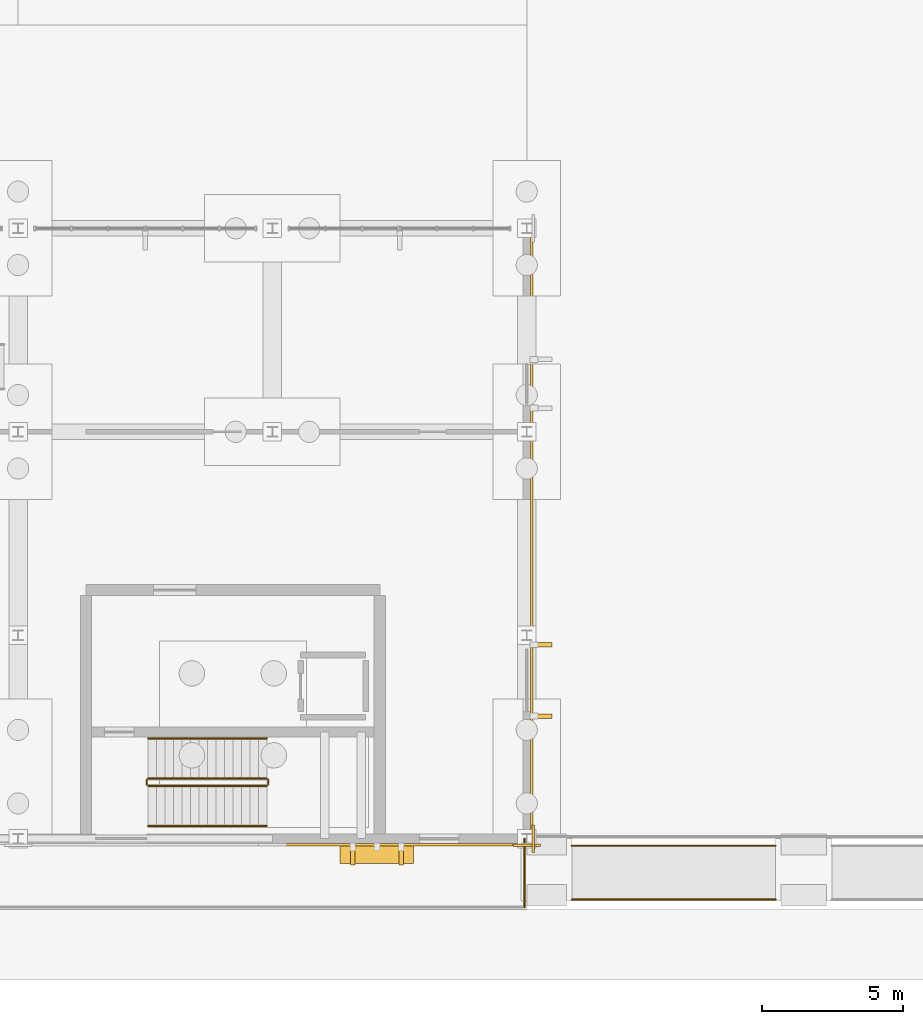
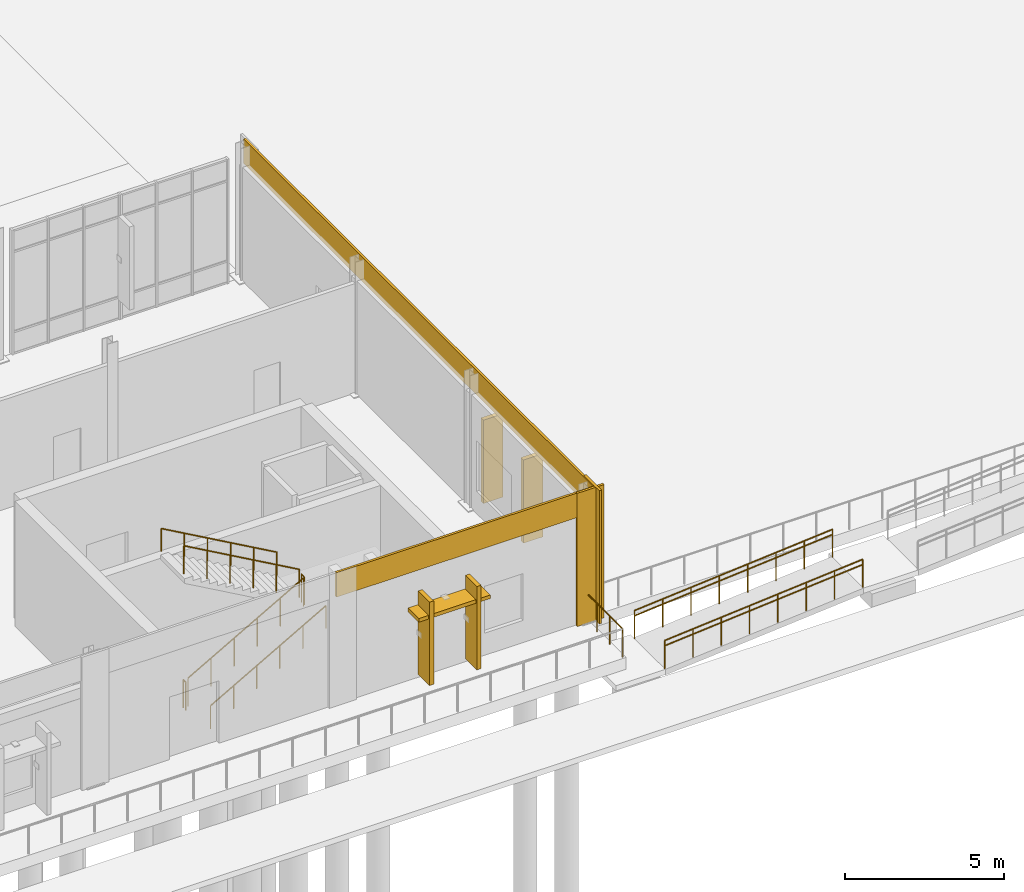
# One storey, part 84 of 94: 11 railings, 5 shading devices, 4 coverings.
"""IFC4 building model written with IfcOpenShell, lengths in metres."""

from ifc_helpers import new_model, si_unit, direction, frame, origin, origin_2d, place, context, subcontext, project, spatial, rectangle, circle, extrude, material, layer, layer_set, type_object, element, save


model = new_model("IFC4")

# Units and contexts
model_context = context("Model", 3, precision=1e-05, world=origin(), true_north=direction((0.0, 1.0)))
body_context = subcontext(model_context, "Body", "Model", "MODEL_VIEW")
ifc_project = project(units=[si_unit("LENGTHUNIT", "METRE"), si_unit("AREAUNIT", "SQUARE_METRE"), si_unit("VOLUMEUNIT", "CUBIC_METRE"), si_unit("PLANEANGLEUNIT", "RADIAN"), si_unit("MASSUNIT", "GRAM", prefix="KILO")], contexts=[model_context])

# Site, building, storey
site_placement = place(None, origin())
site = spatial("IfcSite", under=ifc_project, at=site_placement, CompositionType="ELEMENT")
building_placement = place(site_placement, origin())
building = spatial("IfcBuilding", under=site, at=building_placement, Name="Vervanel Yard Central Library", CompositionType="ELEMENT")
storey_placement = place(building_placement, origin())
storey = spatial("IfcBuildingStorey", under=building, at=storey_placement, Name="L00", CompositionType="ELEMENT", Elevation=0.0)

# Railings
ifc_material_1 = material(Name="Brushed stainless steel AISI 316", Category="steel")
railing_type_1 = type_object("IfcRailingType", Name="Brushed Stainless Stair Handrail 900", PredefinedType="HANDRAIL", material=ifc_material_1)
railing_1_placement = place(storey_placement, frame((94.60009765625, 0.449951171875, 0.169921875)))
element("IfcRailing", 1, at=railing_1_placement, inside=storey, type_object=railing_type_1, Name="L00 ST-06 stair handrail 1", PredefinedType="HANDRAIL", context=body_context, shape_type="SweptSolid", body=[
    extrude(circle(Radius=0.02392578125, at=origin_2d()), frame((0.0, 0.0, 0.8759765625), z_axis=(0.870008446991, 0.0, 0.493036816236), x_axis=(0.0, 1.0, 0.0)), (0.0, 0.0, 1.0), 4.827392578125),
    extrude(circle(Radius=0.02099609375, at=origin_2d()), origin(), (0.0, 0.0, 1.0), 0.851806640625),
    extrude(circle(Radius=0.02099609375, at=origin_2d()), frame((0.840087890625, 0.0, 0.47607421875)), (0.0, 0.0, 1.0), 0.851806640625),
    extrude(circle(Radius=0.02099609375, at=origin_2d()), frame((1.679931640625, 0.0, 0.9521484375)), (0.0, 0.0, 1.0), 0.851806640625),
    extrude(circle(Radius=0.02099609375, at=origin_2d()), frame((2.52001953125, 0.0, 1.427978515625)), (0.0, 0.0, 1.0), 0.851806640625),
    extrude(circle(Radius=0.02099609375, at=origin_2d()), frame((3.35986328125, 0.0, 1.904052734375)), (0.0, 0.0, 1.0), 0.851806640625),
    extrude(circle(Radius=0.02099609375, at=origin_2d()), frame((4.199951171875, 0.0, 2.380126953125)), (0.0, 0.0, 1.0), 0.851806640625),
])
railing_2_placement = place(storey_placement, frame((98.800048828125, 3.550048828125, 2.719970703125)))
element("IfcRailing", 2, at=railing_2_placement, inside=storey, type_object=railing_type_1, Name="L00 ST-06 stair handrail 2", PredefinedType="HANDRAIL", context=body_context, shape_type="SweptSolid", body=[
    extrude(circle(Radius=0.02392578125, at=origin_2d()), frame((0.0, 0.0, 0.8759765625), z_axis=(-0.870008446991, 0.0, 0.493036816236), x_axis=(0.0, -1.0, 0.0)), (0.0, 0.0, 1.0), 4.827392578125),
    extrude(circle(Radius=0.02099609375, at=origin_2d()), origin(), (0.0, 0.0, 1.0), 0.851806640625),
    extrude(circle(Radius=0.02099609375, at=origin_2d()), frame((-0.840087890625, 0.0, 0.47607421875)), (0.0, 0.0, 1.0), 0.851806640625),
    extrude(circle(Radius=0.02099609375, at=origin_2d()), frame((-1.679931640625, 0.0, 0.9521484375)), (0.0, 0.0, 1.0), 0.851806640625),
    extrude(circle(Radius=0.02099609375, at=origin_2d()), frame((-2.52001953125, 0.0, 1.427978515625)), (0.0, 0.0, 1.0), 0.851806640625),
    extrude(circle(Radius=0.02099609375, at=origin_2d()), frame((-3.35986328125, 0.0, 1.904052734375)), (0.0, 0.0, 1.0), 0.851806640625),
    extrude(circle(Radius=0.02099609375, at=origin_2d()), frame((-4.199951171875, 0.0, 2.380126953125)), (0.0, 0.0, 1.0), 0.851806640625),
])
for number, where, name in (
    (3, (109.60009765625, -0.25, -1.199951171875), "RAMP-01-F1 Handrail L"),
    (4, (109.60009765625, -2.14990234375, -1.199951171875), "RAMP-01-F1 Handrail R"),
):
    element("IfcRailing", number, at=place(storey_placement, frame(where)), inside=storey, type_object=railing_type_1, Name=name, PredefinedType="HANDRAIL", context=body_context, shape_type="SweptSolid", body=[
        extrude(circle(Radius=0.02392578125, at=origin_2d()), frame((0.0, 0.0, 0.8759765625), z_axis=(0.99654738937, 0.0, 0.083025904028), x_axis=(0.0, 1.0, 0.0)), (0.0, 0.0, 1.0), 7.224853515625),
        extrude(circle(Radius=0.02099609375, at=origin_2d()), origin(), (0.0, 0.0, 1.0), 0.851806640625),
        extrude(circle(Radius=0.02099609375, at=origin_2d()), frame((1.028564453125, 0.0, 0.085693359375)), (0.0, 0.0, 1.0), 0.851806640625),
        extrude(circle(Radius=0.02099609375, at=origin_2d()), frame((2.05712890625, 0.0, 0.17138671875)), (0.0, 0.0, 1.0), 0.851806640625),
        extrude(circle(Radius=0.02099609375, at=origin_2d()), frame((3.085693359375, 0.0, 0.257080078125)), (0.0, 0.0, 1.0), 0.851806640625),
        extrude(circle(Radius=0.02099609375, at=origin_2d()), frame((4.1142578125, 0.0, 0.3427734375)), (0.0, 0.0, 1.0), 0.851806640625),
        extrude(circle(Radius=0.02099609375, at=origin_2d()), frame((5.142822265625, 0.0, 0.428466796875)), (0.0, 0.0, 1.0), 0.851806640625),
        extrude(circle(Radius=0.02099609375, at=origin_2d()), frame((6.17138671875, 0.0, 0.51416015625)), (0.0, 0.0, 1.0), 0.851806640625),
        extrude(circle(Radius=0.02099609375, at=origin_2d()), frame((7.199951171875, 0.0, 0.599853515625)), (0.0, 0.0, 1.0), 0.851806640625),
    ])

# Coverings
ifc_material_2 = material(Name="Precast concrete C45/55", Category="concrete")
ifc_layer = layer(ifc_material_2, 0.0849609375, Category="concrete")
ifc_layer_set = layer_set([ifc_layer], Name="Precast concrete C45/55")
covering_type = type_object("IfcCoveringType", Name="Bush-Hammered Precast Architectural Cladding Panel", PredefinedType="CLADDING", material=ifc_layer_set)
covering_1_placement = place(storey_placement, frame((103.5, -0.2099609375, 4.179931640625), z_axis=(0.0, 0.0, 1.0), x_axis=(1.0, 0.0, 0.0)))
element("IfcCovering", 5, at=covering_1_placement, inside=storey, type_object=covering_type, Name="L00 Precast Concrete Spandrel Cornice EWALL-L00-0197", PredefinedType="CLADDING", context=body_context, shape_type="SweptSolid", body=[
    extrude(rectangle(XDim=9.449951171875, YDim=0.0849609375, at=origin_2d()), origin(), (0.0, 0.0, 1.0), 0.93994140625),
])
covering_2_placement = place(storey_placement, frame((108.0, -0.226806640625, 0.0), z_axis=(0.0, 0.0, 1.0), x_axis=(1.0, 0.0, 0.0)))
element("IfcCovering", 6, at=covering_2_placement, inside=storey, type_object=covering_type, Name="L00 Precast Concrete Pier Pilaster EWALL-L00-0197-B", PredefinedType="CLADDING", context=body_context, shape_type="SweptSolid", body=[
    extrude(rectangle(XDim=0.97998046875, YDim=0.0849609375, at=origin_2d()), origin(), (0.0, 0.0, 1.0), 5.1201171875),
])
covering_3_placement = place(storey_placement, frame((108.180908203125, 10.800048828125, 4.179931640625), z_axis=(0.0, 0.0, 1.0), x_axis=(0.0, 1.0, 0.0)))
element("IfcCovering", 7, at=covering_3_placement, inside=storey, type_object=covering_type, Name="L00 Precast Concrete Spandrel Cornice EWALL-L00-0199", PredefinedType="CLADDING", context=body_context, shape_type="SweptSolid", body=[
    extrude(rectangle(XDim=22.050048828125, YDim=0.0849609375, at=origin_2d()), origin(), (0.0, 0.0, 1.0), 0.93994140625),
])
covering_4_placement = place(storey_placement, frame((108.226806640625, 0.0, 0.0), z_axis=(0.0, 0.0, 1.0), x_axis=(0.0, 1.0, 0.0)))
element("IfcCovering", 8, at=covering_4_placement, inside=storey, type_object=covering_type, Name="L00 Precast Concrete Pier Pilaster EWALL-L00-0199-A", PredefinedType="CLADDING", context=body_context, shape_type="SweptSolid", body=[
    extrude(rectangle(XDim=0.97998046875, YDim=0.0849609375, at=origin_2d()), origin(), (0.0, 0.0, 1.0), 5.1201171875),
])

# Railings
railing_type_2 = type_object("IfcRailingType", Name="Exterior Terrace Guardrail 1100", PredefinedType="GUARDRAIL", material=ifc_material_1)
for number, where, name in (
    (9, (109.60009765625, -0.25, -1.199951171875), "RAMP-01-F1 Guardrail L"),
    (10, (109.60009765625, -2.14990234375, -1.199951171875), "RAMP-01-F1 Guardrail R"),
):
    element("IfcRailing", number, at=place(storey_placement, frame(where)), inside=storey, type_object=railing_type_2, Name=name, PredefinedType="GUARDRAIL", context=body_context, shape_type="SweptSolid", body=[
        extrude(circle(Radius=0.02392578125, at=origin_2d()), frame((0.0, 0.0, 1.076171875), z_axis=(0.99654738937, 0.0, 0.083025904028), x_axis=(0.0, 1.0, 0.0)), (0.0, 0.0, 1.0), 7.224853515625),
        extrude(circle(Radius=0.02099609375, at=origin_2d()), origin(), (0.0, 0.0, 1.0), 1.052001953125),
        extrude(circle(Radius=0.02099609375, at=origin_2d()), frame((1.028564453125, 0.0, 0.085693359375)), (0.0, 0.0, 1.0), 1.052001953125),
        extrude(circle(Radius=0.02099609375, at=origin_2d()), frame((2.05712890625, 0.0, 0.17138671875)), (0.0, 0.0, 1.0), 1.052001953125),
        extrude(circle(Radius=0.02099609375, at=origin_2d()), frame((3.085693359375, 0.0, 0.257080078125)), (0.0, 0.0, 1.0), 1.052001953125),
        extrude(circle(Radius=0.02099609375, at=origin_2d()), frame((4.1142578125, 0.0, 0.3427734375)), (0.0, 0.0, 1.0), 1.052001953125),
        extrude(circle(Radius=0.02099609375, at=origin_2d()), frame((5.142822265625, 0.0, 0.428466796875)), (0.0, 0.0, 1.0), 1.052001953125),
        extrude(circle(Radius=0.02099609375, at=origin_2d()), frame((6.17138671875, 0.0, 0.51416015625)), (0.0, 0.0, 1.0), 1.052001953125),
        extrude(circle(Radius=0.02099609375, at=origin_2d()), frame((7.199951171875, 0.0, 0.599853515625)), (0.0, 0.0, 1.0), 1.052001953125),
    ])
railing_3_placement = place(storey_placement, frame((107.919921875, -2.419921875, 0.0)))
element("IfcRailing", 11, at=railing_3_placement, inside=storey, type_object=railing_type_2, Name="L00 South Boulevard Plinth Promenade Edge Guard 12", PredefinedType="GUARDRAIL", context=body_context, shape_type="SweptSolid", body=[
    extrude(circle(Radius=0.02392578125, at=origin_2d()), frame((0.0, 0.0, 1.076171875), z_axis=(0.0, 1.0, 0.0), x_axis=(-1.0, 0.0, 0.0)), (0.0, 0.0, 1.0), 2.419921875),
    extrude(circle(Radius=0.02099609375, at=origin_2d()), origin(), (0.0, 0.0, 1.0), 1.052001953125),
    extrude(circle(Radius=0.02099609375, at=origin_2d()), frame((0.0, 0.806640625, 0.0)), (0.0, 0.0, 1.0), 1.052001953125),
    extrude(circle(Radius=0.02099609375, at=origin_2d()), frame((0.0, 1.61328125, 0.0)), (0.0, 0.0, 1.0), 1.052001953125),
    extrude(circle(Radius=0.02099609375, at=origin_2d()), frame((0.0, 2.419921875, 0.0)), (0.0, 0.0, 1.0), 1.052001953125),
])

# Shading device
shading_device_type_1 = type_object("IfcShadingDeviceType", Name="Horizontal Precast Brise-Soleil Sunhood 2600x680x140", PredefinedType="JALOUSIE", material=ifc_material_2)
shading_device_placement = place(storey_placement, frame((102.699951171875, -0.5400390625, 2.68017578125), z_axis=(0.0, 0.0, 1.0), x_axis=(1.0, 0.0, 0.0)))
element("IfcShadingDevice", 12, at=shading_device_placement, inside=storey, type_object=shading_device_type_1, Name="L00 Precast Horizontal Sunhood 110", PredefinedType="JALOUSIE", context=body_context, shape_type="SweptSolid", body=[
    extrude(rectangle(XDim=2.60009765625, YDim=0.679931640625, at=origin_2d()), origin(), (0.0, 0.0, 1.0), 0.139892578125),
])

# Railings
ifc_material_3 = material(Name="Galvanized painted steelwork ASTM A500 Grade C", Category="steel")
railing_type_3 = type_object("IfcRailingType", Name="Painted Steel Guardrail 1100", PredefinedType="GUARDRAIL", material=ifc_material_3)
railing_4_placement = place(storey_placement, frame((94.60009765625, 1.8701171875, 0.169921875)))
element("IfcRailing", 13, at=railing_4_placement, inside=storey, type_object=railing_type_3, Name="L00 ST-06 stair guard 1", PredefinedType="GUARDRAIL", context=body_context, shape_type="SweptSolid", body=[
    extrude(circle(Radius=0.02392578125, at=origin_2d()), frame((0.0, 0.0, 1.076171875), z_axis=(0.870008446991, 0.0, 0.493036816236), x_axis=(0.0, 1.0, 0.0)), (0.0, 0.0, 1.0), 4.827392578125),
    extrude(circle(Radius=0.02099609375, at=origin_2d()), origin(), (0.0, 0.0, 1.0), 1.052001953125),
    extrude(circle(Radius=0.02099609375, at=origin_2d()), frame((0.840087890625, 0.0, 0.47607421875)), (0.0, 0.0, 1.0), 1.052001953125),
    extrude(circle(Radius=0.02099609375, at=origin_2d()), frame((1.679931640625, 0.0, 0.9521484375)), (0.0, 0.0, 1.0), 1.052001953125),
    extrude(circle(Radius=0.02099609375, at=origin_2d()), frame((2.52001953125, 0.0, 1.427978515625)), (0.0, 0.0, 1.0), 1.052001953125),
    extrude(circle(Radius=0.02099609375, at=origin_2d()), frame((3.35986328125, 0.0, 1.904052734375)), (0.0, 0.0, 1.0), 1.052001953125),
    extrude(circle(Radius=0.02099609375, at=origin_2d()), frame((4.199951171875, 0.0, 2.380126953125)), (0.0, 0.0, 1.0), 1.052001953125),
])
railing_5_placement = place(storey_placement, frame((98.85009765625, 1.919921875, 2.550048828125)))
element("IfcRailing", 14, at=railing_5_placement, inside=storey, type_object=railing_type_3, Name="L00 ST-06 stair guard 2", PredefinedType="GUARDRAIL", context=body_context, shape_type="SweptSolid", body=[
    extrude(circle(Radius=0.02392578125, at=origin_2d()), frame((0.0, 0.0, 1.076171875), z_axis=(0.0, 1.0, 0.0), x_axis=(-1.0, 0.0, 0.0)), (0.0, 0.0, 1.0), 0.16015625),
    extrude(circle(Radius=0.02099609375, at=origin_2d()), origin(), (0.0, 0.0, 1.0), 1.052001953125),
    extrude(circle(Radius=0.02099609375, at=origin_2d()), frame((0.0, 0.16015625, 0.0)), (0.0, 0.0, 1.0), 1.052001953125),
])
railing_6_placement = place(storey_placement, frame((98.800048828125, 2.1298828125, 2.719970703125)))
element("IfcRailing", 15, at=railing_6_placement, inside=storey, type_object=railing_type_3, Name="L00 ST-06 stair guard 3", PredefinedType="GUARDRAIL", context=body_context, shape_type="SweptSolid", body=[
    extrude(circle(Radius=0.02392578125, at=origin_2d()), frame((0.0, 0.0, 1.076171875), z_axis=(-0.870008446991, 0.0, 0.493036816236), x_axis=(0.0, -1.0, 0.0)), (0.0, 0.0, 1.0), 4.827392578125),
    extrude(circle(Radius=0.02099609375, at=origin_2d()), origin(), (0.0, 0.0, 1.0), 1.052001953125),
    extrude(circle(Radius=0.02099609375, at=origin_2d()), frame((-0.840087890625, 0.0, 0.47607421875)), (0.0, 0.0, 1.0), 1.052001953125),
    extrude(circle(Radius=0.02099609375, at=origin_2d()), frame((-1.679931640625, 0.0, 0.9521484375)), (0.0, 0.0, 1.0), 1.052001953125),
    extrude(circle(Radius=0.02099609375, at=origin_2d()), frame((-2.52001953125, 0.0, 1.427978515625)), (0.0, 0.0, 1.0), 1.052001953125),
    extrude(circle(Radius=0.02099609375, at=origin_2d()), frame((-3.35986328125, 0.0, 1.904052734375)), (0.0, 0.0, 1.0), 1.052001953125),
    extrude(circle(Radius=0.02099609375, at=origin_2d()), frame((-4.199951171875, 0.0, 2.380126953125)), (0.0, 0.0, 1.0), 1.052001953125),
])
railing_7_placement = place(storey_placement, frame((94.550048828125, 1.919921875, 0.0)))
element("IfcRailing", 16, at=railing_7_placement, inside=storey, type_object=railing_type_3, Name="L00 ST-06 stair guard 4", PredefinedType="GUARDRAIL", context=body_context, shape_type="SweptSolid", body=[
    extrude(circle(Radius=0.02392578125, at=origin_2d()), frame((0.0, 0.0, 1.076171875), z_axis=(0.0, 1.0, 0.0), x_axis=(-1.0, 0.0, 0.0)), (0.0, 0.0, 1.0), 0.16015625),
    extrude(circle(Radius=0.02099609375, at=origin_2d()), origin(), (0.0, 0.0, 1.0), 1.052001953125),
    extrude(circle(Radius=0.02099609375, at=origin_2d()), frame((0.0, 0.16015625, 0.0)), (0.0, 0.0, 1.0), 1.052001953125),
])

# Shading devices
shading_device_type_2 = type_object("IfcShadingDeviceType", Name="Vertical Precast Solar Fin 160x720x3200", PredefinedType="JALOUSIE", material=ifc_material_2)
for number, where, z_axis, x_axis, name in (
    (17, (101.840087890625, -0.570068359375, 0.14990234375), (0.0, 0.0, 1.0), (1.0, 0.0, 0.0), "L00 Precast Solar Fin 569"),
    (18, (103.56005859375, -0.570068359375, 0.14990234375), (0.0, 0.0, 1.0), (1.0, 0.0, 0.0), "L00 Precast Solar Fin 570"),
    (19, (108.530029296875, 4.340087890625, 0.22509765625), (0.0, 0.0, 1.0), (0.0, 1.0, 0.0), "L00 Precast Solar Fin 581"),
    (20, (108.530029296875, 6.860107421875, 0.22509765625), (0.0, 0.0, 1.0), (0.0, 1.0, 0.0), "L00 Precast Solar Fin 582"),
):
    element("IfcShadingDevice", number, at=place(storey_placement, frame(where, z_axis=z_axis, x_axis=x_axis)), inside=storey, type_object=shading_device_type_2, Name=name, PredefinedType="JALOUSIE", context=body_context, shape_type="SweptSolid", body=[
        extrude(rectangle(XDim=0.159912109375, YDim=0.719970703125, at=origin_2d()), origin(), (0.0, 0.0, 1.0), 3.199951171875),
    ])

save(model, "model.ifc")
